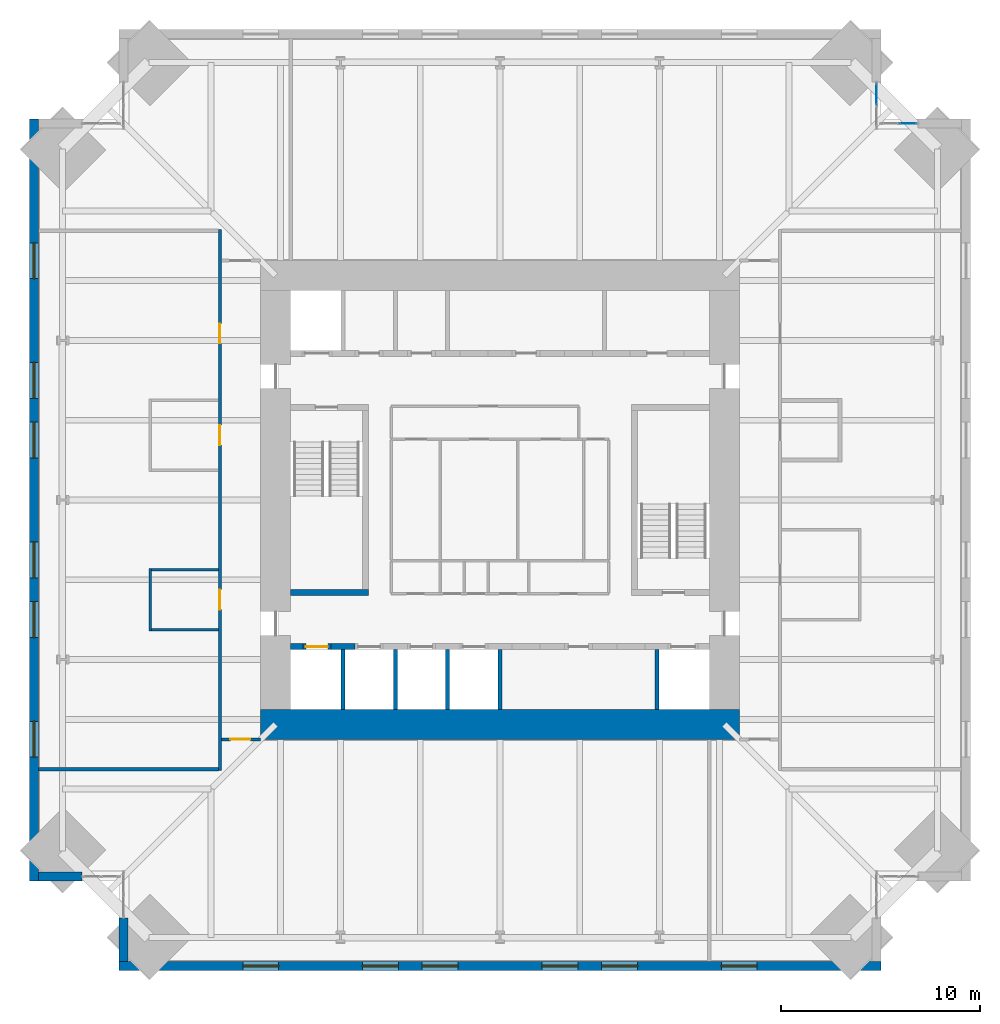
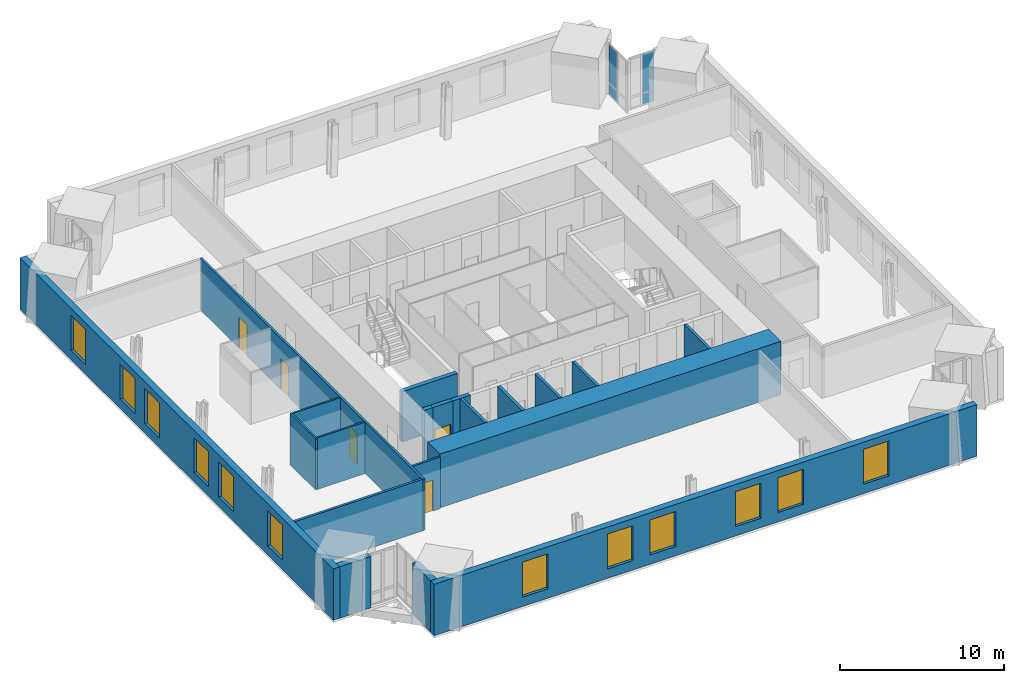
# One storey, part 10 of 14: 20 walls, 12 windows, 5 doors, 4 plates, 17 openings, 2 elements without a shape of their own.
"""IFC4 building model written with IfcOpenShell, lengths in metres."""

from ifc_helpers import new_model, si_unit, direction, frame, frame_2d, origin, origin_2d, place, context, subcontext, project, spatial, rectangle, extrude, material, layer, layer_set, type_object, element, fill, aggregate, save


model = new_model("IFC4")

# Units and contexts
model_context = context("Model", 3, precision=1e-05, world=origin(), true_north=direction((0.0, 1.0)))
body_context = subcontext(model_context, "Body", "Model", "MODEL_VIEW")
ifc_project = project(units=[si_unit("LENGTHUNIT", "METRE"), si_unit("AREAUNIT", "SQUARE_METRE"), si_unit("VOLUMEUNIT", "CUBIC_METRE"), si_unit("PLANEANGLEUNIT", "RADIAN"), si_unit("MASSUNIT", "GRAM", prefix="KILO")], contexts=[model_context])

# Site, building, storey
site_placement = place(None, origin())
site = spatial("IfcSite", under=ifc_project, at=site_placement, CompositionType="ELEMENT")
building_placement = place(site_placement, origin())
building = spatial("IfcBuilding", under=site, at=building_placement, Name="Peilmerk Tower", CompositionType="ELEMENT")
storey_placement = place(building_placement, frame((0.0, 0.0, 221.800048828125)))
storey = spatial("IfcBuildingStorey", under=building, at=storey_placement, Name="L48", CompositionType="ELEMENT", Elevation=221.800048828125)

# Curtain wall, plates
ifc_material_1 = material(Name="Aluminium stick curtain wall", Category="aluminium")
curtain_wall_type = type_object("IfcCurtainWallType", Name="CW4 stick curtain wall, 2250 module", PredefinedType="NOTDEFINED", material=ifc_material_1)
curtain_wall_1_placement = place(storey_placement, origin())
curtain_wall_1 = element("IfcCurtainWall", 1, at=curtain_wall_1_placement, inside=storey, type_object=curtain_wall_type, Name="Curtain wall CW4 NEA L48", PredefinedType="NOTDEFINED")
ifc_material_2 = material(Name="Clear insulated glazing unit", Category="glass")
ifc_layer_1 = layer(ifc_material_2, 0.028076171875)
ifc_layer_set_1 = layer_set([ifc_layer_1], Name="Clear insulated glazing unit")
plate_type = type_object("IfcPlateType", Name="CW4-P 28 glazed panel", PredefinedType="CURTAIN_PANEL", material=ifc_layer_set_1)
plate_1_placement = place(storey_placement, frame((18.875, 20.350341796875, 0.06494140625), z_axis=(0.0, 0.0, 1.0), x_axis=(0.0, 1.0, 0.0)))
plate_1 = element("IfcPlate", 2, at=plate_1_placement, type_object=plate_type, Name="CW4 panel 2.1", PredefinedType="CURTAIN_PANEL", context=body_context, shape_type="SweptSolid", body=[
    extrude(rectangle(XDim=1.046875, YDim=0.028076171875, at=origin_2d()), origin(), (0.0, 0.0, 1.0), 0.802490234375),
])
plate_2_placement = place(storey_placement, frame((18.875, 20.350341796875, 0.932373046875), z_axis=(0.0, 0.0, 1.0), x_axis=(0.0, 1.0, 0.0)))
plate_2 = element("IfcPlate", 3, at=plate_2_placement, type_object=plate_type, Name="CW4 panel 2.2", PredefinedType="CURTAIN_PANEL", context=body_context, shape_type="SweptSolid", body=[
    extrude(rectangle(XDim=1.046875, YDim=0.028076171875, at=origin_2d()), origin(), (0.0, 0.0, 1.0), 2.83251953125),
])
aggregate(curtain_wall_1, [plate_1, plate_2])

curtain_wall_2_placement = place(storey_placement, origin())
curtain_wall_2 = element("IfcCurtainWall", 4, at=curtain_wall_2_placement, inside=storey, type_object=curtain_wall_type, Name="Curtain wall CW4 NEB L48", PredefinedType="NOTDEFINED")
plate_3_placement = place(storey_placement, frame((20.462646484375, 18.875, 0.06494140625), z_axis=(0.0, 0.0, 1.0), x_axis=(1.0, 0.0, 0.0)))
plate_3 = element("IfcPlate", 5, at=plate_3_placement, type_object=plate_type, Name="CW4 panel 2.1", PredefinedType="CURTAIN_PANEL", context=body_context, shape_type="SweptSolid", body=[
    extrude(rectangle(XDim=0.82177734375, YDim=0.028076171875, at=origin_2d()), origin(), (0.0, 0.0, 1.0), 0.802490234375),
])
plate_4_placement = place(storey_placement, frame((20.462646484375, 18.875, 0.932373046875), z_axis=(0.0, 0.0, 1.0), x_axis=(1.0, 0.0, 0.0)))
plate_4 = element("IfcPlate", 6, at=plate_4_placement, type_object=plate_type, Name="CW4 panel 2.2", PredefinedType="CURTAIN_PANEL", context=body_context, shape_type="SweptSolid", body=[
    extrude(rectangle(XDim=0.82177734375, YDim=0.028076171875, at=origin_2d()), origin(), (0.0, 0.0, 1.0), 2.83251953125),
])
aggregate(curtain_wall_2, [plate_3, plate_4])

# Wall, openings, windows
ifc_material_3 = material(Name="Precast concrete C45/55, board-marked finish", Category="concrete")
ifc_layer_2 = layer(ifc_material_3, 0.449951171875)
ifc_layer_set_2 = layer_set([ifc_layer_2], Name="Precast concrete C45/55, board-marked finish")
wall_type_1 = type_object("IfcWallType", Name="EW1 450 precast concrete facade wall, board-marked", PredefinedType="SOLIDWALL", material=ifc_layer_set_2)
wall_1_placement = place(storey_placement, frame((-19.10009765625, -23.375, 0.0), z_axis=(0.0, 0.0, 1.0), x_axis=(1.0, 0.0, 0.0)))
wall_1 = element("IfcWall", 7, at=wall_1_placement, inside=storey, type_object=wall_type_1, Name="Facade wall S L48", PredefinedType="SOLIDWALL", context=body_context, shape_type="SweptSolid", body=[
    extrude(rectangle(XDim=38.2001953125, YDim=0.449951171875, at=frame_2d((19.10009765625, 0.0))), origin(), (0.0, 0.0, 1.0), 3.829833984375),
])
opening_1_placement = place(wall_1_placement, frame((6.199951171875, 0.0, 0.699951171875)))
opening_1 = element("IfcOpeningElement", 8, at=opening_1_placement, cuts=wall_1, Name="Opening W1", PredefinedType="OPENING", context=body_context, shape_type="SweptSolid", body=[
    extrude(rectangle(XDim=1.800048828125, YDim=2.60009765625, at=frame_2d((0.89990234375, 1.300048828125))), frame((0.0, 0.23486328125, 0.0), z_axis=(0.0, -1.0, 0.0), x_axis=(1.0, 0.0, 0.0)), (0.0, 0.0, 1.0), 0.469970703125),
])
opening_2_placement = place(wall_1_placement, frame((12.199951171875, 0.0, 0.699951171875)))
opening_2 = element("IfcOpeningElement", 9, at=opening_2_placement, cuts=wall_1, Name="Opening W1", PredefinedType="OPENING", context=body_context, shape_type="SweptSolid", body=[
    extrude(rectangle(XDim=1.800048828125, YDim=2.60009765625, at=frame_2d((0.89990234375, 1.300048828125))), frame((0.0, 0.23486328125, 0.0), z_axis=(0.0, -1.0, 0.0), x_axis=(1.0, 0.0, 0.0)), (0.0, 0.0, 1.0), 0.469970703125),
])
opening_3_placement = place(wall_1_placement, frame((15.199951171875, 0.0, 0.699951171875)))
opening_3 = element("IfcOpeningElement", 10, at=opening_3_placement, cuts=wall_1, Name="Opening W1", PredefinedType="OPENING", context=body_context, shape_type="SweptSolid", body=[
    extrude(rectangle(XDim=1.800048828125, YDim=2.60009765625, at=frame_2d((0.89990234375, 1.300048828125))), frame((0.0, 0.23486328125, 0.0), z_axis=(0.0, -1.0, 0.0), x_axis=(1.0, 0.0, 0.0)), (0.0, 0.0, 1.0), 0.469970703125),
])
opening_4_placement = place(wall_1_placement, frame((21.199951171875, 0.0, 0.699951171875)))
opening_4 = element("IfcOpeningElement", 11, at=opening_4_placement, cuts=wall_1, Name="Opening W1", PredefinedType="OPENING", context=body_context, shape_type="SweptSolid", body=[
    extrude(rectangle(XDim=1.800048828125, YDim=2.60009765625, at=frame_2d((0.89990234375, 1.300048828125))), frame((0.0, 0.23486328125, 0.0), z_axis=(0.0, -1.0, 0.0), x_axis=(1.0, 0.0, 0.0)), (0.0, 0.0, 1.0), 0.469970703125),
])
opening_5_placement = place(wall_1_placement, frame((24.199951171875, 0.0, 0.699951171875)))
opening_5 = element("IfcOpeningElement", 12, at=opening_5_placement, cuts=wall_1, Name="Opening W1", PredefinedType="OPENING", context=body_context, shape_type="SweptSolid", body=[
    extrude(rectangle(XDim=1.800048828125, YDim=2.60009765625, at=frame_2d((0.89990234375, 1.300048828125))), frame((0.0, 0.23486328125, 0.0), z_axis=(0.0, -1.0, 0.0), x_axis=(1.0, 0.0, 0.0)), (0.0, 0.0, 1.0), 0.469970703125),
])
opening_6_placement = place(wall_1_placement, frame((30.199951171875, 0.0, 0.699951171875)))
opening_6 = element("IfcOpeningElement", 13, at=opening_6_placement, cuts=wall_1, Name="Opening W1", PredefinedType="OPENING", context=body_context, shape_type="SweptSolid", body=[
    extrude(rectangle(XDim=1.800048828125, YDim=2.60009765625, at=frame_2d((0.89990234375, 1.300048828125))), frame((0.0, 0.23486328125, 0.0), z_axis=(0.0, -1.0, 0.0), x_axis=(1.0, 0.0, 0.0)), (0.0, 0.0, 1.0), 0.469970703125),
])
ifc_material_4 = material(Name="Aluminium frame, clear double glazing", Category="aluminium")
window_type = type_object("IfcWindowType", Name="W1 1800x2600 office window", PartitioningType="SINGLE_PANEL", PredefinedType="WINDOW", material=ifc_material_4)
window_1_placement = place(opening_1_placement, origin())
window_1 = element("IfcWindow", 14, at=window_1_placement, inside=storey, type_object=window_type, Name="Window W1 L48", OverallHeight=2.60009765625, OverallWidth=1.800048828125, PartitioningType="SINGLE_PANEL", PredefinedType="WINDOW", context=body_context, shape_type="SweptSolid", body=[
    extrude(rectangle(XDim=1.800048828125, YDim=2.60009765625, at=frame_2d((0.89990234375, 1.300048828125))), frame((0.0, 0.030029296875, 0.0), z_axis=(0.0, -1.0, 0.0), x_axis=(1.0, 0.0, 0.0)), (0.0, 0.0, 1.0), 0.06005859375),
])
fill(opening_1, window_1)
window_2_placement = place(opening_2_placement, origin())
window_2 = element("IfcWindow", 15, at=window_2_placement, inside=storey, type_object=window_type, Name="Window W1 L48", OverallHeight=2.60009765625, OverallWidth=1.800048828125, PartitioningType="SINGLE_PANEL", PredefinedType="WINDOW", context=body_context, shape_type="SweptSolid", body=[
    extrude(rectangle(XDim=1.800048828125, YDim=2.60009765625, at=frame_2d((0.89990234375, 1.300048828125))), frame((0.0, 0.030029296875, 0.0), z_axis=(0.0, -1.0, 0.0), x_axis=(1.0, 0.0, 0.0)), (0.0, 0.0, 1.0), 0.06005859375),
])
fill(opening_2, window_2)
window_3_placement = place(opening_3_placement, origin())
window_3 = element("IfcWindow", 16, at=window_3_placement, inside=storey, type_object=window_type, Name="Window W1 L48", OverallHeight=2.60009765625, OverallWidth=1.800048828125, PartitioningType="SINGLE_PANEL", PredefinedType="WINDOW", context=body_context, shape_type="SweptSolid", body=[
    extrude(rectangle(XDim=1.800048828125, YDim=2.60009765625, at=frame_2d((0.89990234375, 1.300048828125))), frame((0.0, 0.030029296875, 0.0), z_axis=(0.0, -1.0, 0.0), x_axis=(1.0, 0.0, 0.0)), (0.0, 0.0, 1.0), 0.06005859375),
])
fill(opening_3, window_3)
window_4_placement = place(opening_4_placement, origin())
window_4 = element("IfcWindow", 17, at=window_4_placement, inside=storey, type_object=window_type, Name="Window W1 L48", OverallHeight=2.60009765625, OverallWidth=1.800048828125, PartitioningType="SINGLE_PANEL", PredefinedType="WINDOW", context=body_context, shape_type="SweptSolid", body=[
    extrude(rectangle(XDim=1.800048828125, YDim=2.60009765625, at=frame_2d((0.89990234375, 1.300048828125))), frame((0.0, 0.030029296875, 0.0), z_axis=(0.0, -1.0, 0.0), x_axis=(1.0, 0.0, 0.0)), (0.0, 0.0, 1.0), 0.06005859375),
])
fill(opening_4, window_4)
window_5_placement = place(opening_5_placement, origin())
window_5 = element("IfcWindow", 18, at=window_5_placement, inside=storey, type_object=window_type, Name="Window W1 L48", OverallHeight=2.60009765625, OverallWidth=1.800048828125, PartitioningType="SINGLE_PANEL", PredefinedType="WINDOW", context=body_context, shape_type="SweptSolid", body=[
    extrude(rectangle(XDim=1.800048828125, YDim=2.60009765625, at=frame_2d((0.89990234375, 1.300048828125))), frame((0.0, 0.030029296875, 0.0), z_axis=(0.0, -1.0, 0.0), x_axis=(1.0, 0.0, 0.0)), (0.0, 0.0, 1.0), 0.06005859375),
])
fill(opening_5, window_5)
window_6_placement = place(opening_6_placement, origin())
window_6 = element("IfcWindow", 19, at=window_6_placement, inside=storey, type_object=window_type, Name="Window W1 L48", OverallHeight=2.60009765625, OverallWidth=1.800048828125, PartitioningType="SINGLE_PANEL", PredefinedType="WINDOW", context=body_context, shape_type="SweptSolid", body=[
    extrude(rectangle(XDim=1.800048828125, YDim=2.60009765625, at=frame_2d((0.89990234375, 1.300048828125))), frame((0.0, 0.030029296875, 0.0), z_axis=(0.0, -1.0, 0.0), x_axis=(1.0, 0.0, 0.0)), (0.0, 0.0, 1.0), 0.06005859375),
])
fill(opening_6, window_6)

wall_2_placement = place(storey_placement, frame((-23.375, 19.10009765625, 0.0), z_axis=(0.0, 0.0, 1.0), x_axis=(0.0, -1.0, 0.0)))
wall_2 = element("IfcWall", 20, at=wall_2_placement, inside=storey, type_object=wall_type_1, Name="Facade wall W L48", PredefinedType="SOLIDWALL", context=body_context, shape_type="SweptSolid", body=[
    extrude(rectangle(XDim=38.2001953125, YDim=0.449951171875, at=frame_2d((19.10009765625, 0.0))), origin(), (0.0, 0.0, 1.0), 3.829833984375),
])
opening_7_placement = place(wall_2_placement, frame((6.199951171875, 0.0, 0.699951171875)))
opening_7 = element("IfcOpeningElement", 21, at=opening_7_placement, cuts=wall_2, Name="Opening W1", PredefinedType="OPENING", context=body_context, shape_type="SweptSolid", body=[
    extrude(rectangle(XDim=1.800048828125, YDim=2.60009765625, at=frame_2d((0.89990234375, 1.300048828125))), frame((0.0, 0.23486328125, 0.0), z_axis=(0.0, -1.0, 0.0), x_axis=(1.0, 0.0, 0.0)), (0.0, 0.0, 1.0), 0.469970703125),
])
opening_8_placement = place(wall_2_placement, frame((12.199951171875, 0.0, 0.699951171875)))
opening_8 = element("IfcOpeningElement", 22, at=opening_8_placement, cuts=wall_2, Name="Opening W1", PredefinedType="OPENING", context=body_context, shape_type="SweptSolid", body=[
    extrude(rectangle(XDim=1.800048828125, YDim=2.60009765625, at=frame_2d((0.89990234375, 1.300048828125))), frame((0.0, 0.23486328125, 0.0), z_axis=(0.0, -1.0, 0.0), x_axis=(1.0, 0.0, 0.0)), (0.0, 0.0, 1.0), 0.469970703125),
])
opening_9_placement = place(wall_2_placement, frame((15.199951171875, 0.0, 0.699951171875)))
opening_9 = element("IfcOpeningElement", 23, at=opening_9_placement, cuts=wall_2, Name="Opening W1", PredefinedType="OPENING", context=body_context, shape_type="SweptSolid", body=[
    extrude(rectangle(XDim=1.800048828125, YDim=2.60009765625, at=frame_2d((0.89990234375, 1.300048828125))), frame((0.0, 0.23486328125, 0.0), z_axis=(0.0, -1.0, 0.0), x_axis=(1.0, 0.0, 0.0)), (0.0, 0.0, 1.0), 0.469970703125),
])
opening_10_placement = place(wall_2_placement, frame((21.199951171875, 0.0, 0.699951171875)))
opening_10 = element("IfcOpeningElement", 24, at=opening_10_placement, cuts=wall_2, Name="Opening W1", PredefinedType="OPENING", context=body_context, shape_type="SweptSolid", body=[
    extrude(rectangle(XDim=1.800048828125, YDim=2.60009765625, at=frame_2d((0.89990234375, 1.300048828125))), frame((0.0, 0.23486328125, 0.0), z_axis=(0.0, -1.0, 0.0), x_axis=(1.0, 0.0, 0.0)), (0.0, 0.0, 1.0), 0.469970703125),
])
opening_11_placement = place(wall_2_placement, frame((24.199951171875, 0.0, 0.699951171875)))
opening_11 = element("IfcOpeningElement", 25, at=opening_11_placement, cuts=wall_2, Name="Opening W1", PredefinedType="OPENING", context=body_context, shape_type="SweptSolid", body=[
    extrude(rectangle(XDim=1.800048828125, YDim=2.60009765625, at=frame_2d((0.89990234375, 1.300048828125))), frame((0.0, 0.23486328125, 0.0), z_axis=(0.0, -1.0, 0.0), x_axis=(1.0, 0.0, 0.0)), (0.0, 0.0, 1.0), 0.469970703125),
])
opening_12_placement = place(wall_2_placement, frame((30.199951171875, 0.0, 0.699951171875)))
opening_12 = element("IfcOpeningElement", 26, at=opening_12_placement, cuts=wall_2, Name="Opening W1", PredefinedType="OPENING", context=body_context, shape_type="SweptSolid", body=[
    extrude(rectangle(XDim=1.800048828125, YDim=2.60009765625, at=frame_2d((0.89990234375, 1.300048828125))), frame((0.0, 0.23486328125, 0.0), z_axis=(0.0, -1.0, 0.0), x_axis=(1.0, 0.0, 0.0)), (0.0, 0.0, 1.0), 0.469970703125),
])
window_7_placement = place(opening_7_placement, origin())
window_7 = element("IfcWindow", 27, at=window_7_placement, inside=storey, type_object=window_type, Name="Window W1 L48", OverallHeight=2.60009765625, OverallWidth=1.800048828125, PartitioningType="SINGLE_PANEL", PredefinedType="WINDOW", context=body_context, shape_type="SweptSolid", body=[
    extrude(rectangle(XDim=1.800048828125, YDim=2.60009765625, at=frame_2d((0.89990234375, 1.300048828125))), frame((0.0, 0.030029296875, 0.0), z_axis=(0.0, -1.0, 0.0), x_axis=(1.0, 0.0, 0.0)), (0.0, 0.0, 1.0), 0.06005859375),
])
fill(opening_7, window_7)
window_8_placement = place(opening_8_placement, origin())
window_8 = element("IfcWindow", 28, at=window_8_placement, inside=storey, type_object=window_type, Name="Window W1 L48", OverallHeight=2.60009765625, OverallWidth=1.800048828125, PartitioningType="SINGLE_PANEL", PredefinedType="WINDOW", context=body_context, shape_type="SweptSolid", body=[
    extrude(rectangle(XDim=1.800048828125, YDim=2.60009765625, at=frame_2d((0.89990234375, 1.300048828125))), frame((0.0, 0.030029296875, 0.0), z_axis=(0.0, -1.0, 0.0), x_axis=(1.0, 0.0, 0.0)), (0.0, 0.0, 1.0), 0.06005859375),
])
fill(opening_8, window_8)
window_9_placement = place(opening_9_placement, origin())
window_9 = element("IfcWindow", 29, at=window_9_placement, inside=storey, type_object=window_type, Name="Window W1 L48", OverallHeight=2.60009765625, OverallWidth=1.800048828125, PartitioningType="SINGLE_PANEL", PredefinedType="WINDOW", context=body_context, shape_type="SweptSolid", body=[
    extrude(rectangle(XDim=1.800048828125, YDim=2.60009765625, at=frame_2d((0.89990234375, 1.300048828125))), frame((0.0, 0.030029296875, 0.0), z_axis=(0.0, -1.0, 0.0), x_axis=(1.0, 0.0, 0.0)), (0.0, 0.0, 1.0), 0.06005859375),
])
fill(opening_9, window_9)
window_10_placement = place(opening_10_placement, origin())
window_10 = element("IfcWindow", 30, at=window_10_placement, inside=storey, type_object=window_type, Name="Window W1 L48", OverallHeight=2.60009765625, OverallWidth=1.800048828125, PartitioningType="SINGLE_PANEL", PredefinedType="WINDOW", context=body_context, shape_type="SweptSolid", body=[
    extrude(rectangle(XDim=1.800048828125, YDim=2.60009765625, at=frame_2d((0.89990234375, 1.300048828125))), frame((0.0, 0.030029296875, 0.0), z_axis=(0.0, -1.0, 0.0), x_axis=(1.0, 0.0, 0.0)), (0.0, 0.0, 1.0), 0.06005859375),
])
fill(opening_10, window_10)
window_11_placement = place(opening_11_placement, origin())
window_11 = element("IfcWindow", 31, at=window_11_placement, inside=storey, type_object=window_type, Name="Window W1 L48", OverallHeight=2.60009765625, OverallWidth=1.800048828125, PartitioningType="SINGLE_PANEL", PredefinedType="WINDOW", context=body_context, shape_type="SweptSolid", body=[
    extrude(rectangle(XDim=1.800048828125, YDim=2.60009765625, at=frame_2d((0.89990234375, 1.300048828125))), frame((0.0, 0.030029296875, 0.0), z_axis=(0.0, -1.0, 0.0), x_axis=(1.0, 0.0, 0.0)), (0.0, 0.0, 1.0), 0.06005859375),
])
fill(opening_11, window_11)
window_12_placement = place(opening_12_placement, origin())
window_12 = element("IfcWindow", 32, at=window_12_placement, inside=storey, type_object=window_type, Name="Window W1 L48", OverallHeight=2.60009765625, OverallWidth=1.800048828125, PartitioningType="SINGLE_PANEL", PredefinedType="WINDOW", context=body_context, shape_type="SweptSolid", body=[
    extrude(rectangle(XDim=1.800048828125, YDim=2.60009765625, at=frame_2d((0.89990234375, 1.300048828125))), frame((0.0, 0.030029296875, 0.0), z_axis=(0.0, -1.0, 0.0), x_axis=(1.0, 0.0, 0.0)), (0.0, 0.0, 1.0), 0.06005859375),
])
fill(opening_12, window_12)

# Walls
for number, where, z_axis, x_axis, name in (
    (33, (-18.875, -20.95361328125, 0.0), (0.0, 0.0, 1.0), (0.0, -1.0, 0.0), "Facade wall SWA L48"),
    (34, (-20.95361328125, -18.875, 0.0), (0.0, 0.0, 1.0), (-1.0, 0.0, 0.0), "Facade wall SWB L48"),
):
    element("IfcWall", number, at=place(storey_placement, frame(where, z_axis=z_axis, x_axis=x_axis)), inside=storey, type_object=wall_type_1, Name=name, PredefinedType="SOLIDWALL", context=body_context, shape_type="SweptSolid", body=[
        extrude(rectangle(XDim=2.1962890625, YDim=0.449951171875, at=frame_2d((1.09814453125, 0.0))), origin(), (0.0, 0.0, 1.0), 3.829833984375),
    ])

# Wall, openings, doors
ifc_material_5 = material(Name="Calcium silicate block", Category="masonry")
ifc_layer_3 = layer(ifc_material_5, 0.14990234375)
ifc_layer_set_3 = layer_set([ifc_layer_3], Name="Calcium silicate block")
wall_type_2 = type_object("IfcWallType", Name="IW1 150 corridor partition, EI 60", PredefinedType="PARTITIONING", material=ifc_layer_set_3)
wall_3_placement = place(storey_placement, frame((-14.050048828125, 13.574951171875, 0.0), z_axis=(0.0, 0.0, 1.0), x_axis=(0.0, -1.0, 0.0)))
wall_3 = element("IfcWall", 35, at=wall_3_placement, inside=storey, type_object=wall_type_2, Name="Corridor wall W L48", PredefinedType="PARTITIONING", context=body_context, shape_type="SweptSolid", body=[
    extrude(rectangle(XDim=27.14990234375, YDim=0.14990234375, at=frame_2d((13.574951171875, 0.0))), origin(), (0.0, 0.0, 1.0), 3.829833984375),
])
opening_13_placement = place(wall_3_placement, frame((4.72509765625, 0.0, 0.0)))
opening_13 = element("IfcOpeningElement", 36, at=opening_13_placement, cuts=wall_3, Name="Opening D1", PredefinedType="OPENING", context=body_context, shape_type="SweptSolid", body=[
    extrude(rectangle(XDim=1.0, YDim=2.300048828125, at=frame_2d((0.5, 1.14990234375))), frame((0.0, 0.0849609375, 0.0), z_axis=(0.0, -1.0, 0.0), x_axis=(1.0, 0.0, 0.0)), (0.0, 0.0, 1.0), 0.169921875),
])
opening_14_placement = place(wall_3_placement, frame((9.824951171875, 0.0, 0.0)))
opening_14 = element("IfcOpeningElement", 37, at=opening_14_placement, cuts=wall_3, Name="Opening D1", PredefinedType="OPENING", context=body_context, shape_type="SweptSolid", body=[
    extrude(rectangle(XDim=1.0, YDim=2.300048828125, at=frame_2d((0.5, 1.14990234375))), frame((0.0, 0.0849609375, 0.0), z_axis=(0.0, -1.0, 0.0), x_axis=(1.0, 0.0, 0.0)), (0.0, 0.0, 1.0), 0.169921875),
])
opening_15_placement = place(wall_3_placement, frame((18.074951171875, 0.0, 0.0)))
opening_15 = element("IfcOpeningElement", 38, at=opening_15_placement, cuts=wall_3, Name="Opening D1", PredefinedType="OPENING", context=body_context, shape_type="SweptSolid", body=[
    extrude(rectangle(XDim=1.0, YDim=2.300048828125, at=frame_2d((0.5, 1.14990234375))), frame((0.0, 0.0849609375, 0.0), z_axis=(0.0, -1.0, 0.0), x_axis=(1.0, 0.0, 0.0)), (0.0, 0.0, 1.0), 0.169921875),
])
ifc_material_6 = material(Name="Timber door in steel frame", Category="steel")
door_type_1 = type_object("IfcDoorType", Name="D1 1000x2300 room door, EI2 30", OperationType="SINGLE_SWING_LEFT", PredefinedType="DOOR", material=ifc_material_6)
door_1_placement = place(opening_13_placement, frame((1.0, 0.0, 0.0), z_axis=(0.0, 0.0, 1.0), x_axis=(-1.0, 0.0, 0.0)))
door_1 = element("IfcDoor", 39, at=door_1_placement, inside=storey, type_object=door_type_1, Name="Door Office L48", OperationType="SINGLE_SWING_LEFT", OverallHeight=2.300048828125, OverallWidth=1.0, PredefinedType="DOOR", context=body_context, shape_type="SweptSolid", body=[
    extrude(rectangle(XDim=1.0, YDim=2.300048828125, at=frame_2d((0.5, 1.14990234375))), frame((0.0, 0.02490234375, 0.0), z_axis=(0.0, -1.0, 0.0), x_axis=(1.0, 0.0, 0.0)), (0.0, 0.0, 1.0), 0.050048828125),
])
fill(opening_13, door_1)
door_2_placement = place(opening_14_placement, frame((1.0, 0.0, 0.0), z_axis=(0.0, 0.0, 1.0), x_axis=(-1.0, 0.0, 0.0)))
door_2 = element("IfcDoor", 40, at=door_2_placement, inside=storey, type_object=door_type_1, Name="Door Pantry L48", OperationType="SINGLE_SWING_LEFT", OverallHeight=2.300048828125, OverallWidth=1.0, PredefinedType="DOOR", context=body_context, shape_type="SweptSolid", body=[
    extrude(rectangle(XDim=1.0, YDim=2.300048828125, at=frame_2d((0.5, 1.14990234375))), frame((0.0, 0.02490234375, 0.0), z_axis=(0.0, -1.0, 0.0), x_axis=(1.0, 0.0, 0.0)), (0.0, 0.0, 1.0), 0.050048828125),
])
fill(opening_14, door_2)
door_3_placement = place(opening_15_placement, frame((1.0, 0.0, 0.0), z_axis=(0.0, 0.0, 1.0), x_axis=(-1.0, 0.0, 0.0)))
door_3 = element("IfcDoor", 41, at=door_3_placement, inside=storey, type_object=door_type_1, Name="Door Focus room L48", OperationType="SINGLE_SWING_LEFT", OverallHeight=2.300048828125, OverallWidth=1.0, PredefinedType="DOOR", context=body_context, shape_type="SweptSolid", body=[
    extrude(rectangle(XDim=1.0, YDim=2.300048828125, at=frame_2d((0.5, 1.14990234375))), frame((0.0, 0.02490234375, 0.0), z_axis=(0.0, -1.0, 0.0), x_axis=(1.0, 0.0, 0.0)), (0.0, 0.0, 1.0), 0.050048828125),
])
fill(opening_15, door_3)

# Wall, opening, door
wall_4_placement = place(storey_placement, frame((-12.0, -12.0, 0.0), z_axis=(0.0, 0.0, 1.0), x_axis=(-1.0, 0.0, 0.0)))
wall_4 = element("IfcWall", 42, at=wall_4_placement, inside=storey, type_object=wall_type_2, Name="Corridor wall SW L48", PredefinedType="PARTITIONING", context=body_context, shape_type="SweptSolid", body=[
    extrude(rectangle(XDim=1.97509765625, YDim=0.14990234375, at=frame_2d((0.987548828125, 0.0))), origin(), (0.0, 0.0, 1.0), 3.829833984375),
])
opening_16_placement = place(wall_4_placement, frame((0.52490234375, 0.0, 0.0)))
opening_16 = element("IfcOpeningElement", 43, at=opening_16_placement, cuts=wall_4, Name="Opening D1", PredefinedType="OPENING", context=body_context, shape_type="SweptSolid", body=[
    extrude(rectangle(XDim=1.0, YDim=2.300048828125, at=frame_2d((0.5, 1.14990234375))), frame((0.0, 0.0849609375, 0.0), z_axis=(0.0, -1.0, 0.0), x_axis=(1.0, 0.0, 0.0)), (0.0, 0.0, 1.0), 0.169921875),
])
door_4_placement = place(opening_16_placement, origin())
door_4 = element("IfcDoor", 44, at=door_4_placement, inside=storey, type_object=door_type_1, Name="Door Tenant suite L48", OperationType="SINGLE_SWING_LEFT", OverallHeight=2.300048828125, OverallWidth=1.0, PredefinedType="DOOR", context=body_context, shape_type="SweptSolid", body=[
    extrude(rectangle(XDim=1.0, YDim=2.300048828125, at=frame_2d((0.5, 1.14990234375))), frame((0.0, 0.02490234375, 0.0), z_axis=(0.0, -1.0, 0.0), x_axis=(1.0, 0.0, 0.0)), (0.0, 0.0, 1.0), 0.050048828125),
])
fill(opening_16, door_4)

# Walls
ifc_material_7 = material(Name="Concrete C35/45", Category="concrete")
ifc_layer_4 = layer(ifc_material_7, 0.300048828125)
ifc_layer_set_4 = layer_set([ifc_layer_4], Name="Concrete C35/45")
wall_type_3 = type_object("IfcWallType", Name="IW3 300 concrete stair enclosure wall, EI 120", PredefinedType="SOLIDWALL", material=ifc_layer_set_4)
wall_5_placement = place(storey_placement, frame((-6.60009765625, -4.64990234375, 0.0), z_axis=(0.0, 0.0, 1.0), x_axis=(-1.0, 0.0, 0.0)))
element("IfcWall", 45, at=wall_5_placement, inside=storey, type_object=wall_type_3, Name="Stair 1 enclosure L48", PredefinedType="SOLIDWALL", context=body_context, shape_type="SweptSolid", body=[
    extrude(rectangle(XDim=3.89990234375, YDim=0.300048828125, at=frame_2d((1.949951171875, 0.0))), origin(), (0.0, 0.0, 1.0), 3.75),
])
ifc_material_8 = material(Name="Plasterboard on steel studs, double boarded with mineral wool", Category="steel")
ifc_layer_5 = layer(ifc_material_8, 0.125)
ifc_layer_set_5 = layer_set([ifc_layer_5], Name="Plasterboard on steel studs, double boarded with mineral wool")
wall_type_4 = type_object("IfcWallType", Name="IW7 125 acoustic partition, EI 30", PredefinedType="PARTITIONING", material=ifc_layer_set_5)
wall_6_placement = place(storey_placement, frame((-17.550048828125, -6.5625, 0.0), z_axis=(0.0, 0.0, 1.0), x_axis=(0.0, 1.0, 0.0)))
element("IfcWall", 46, at=wall_6_placement, inside=storey, type_object=wall_type_4, Name="Acoustic partition Focus room L48", PredefinedType="PARTITIONING", context=body_context, shape_type="SweptSolid", body=[
    extrude(rectangle(XDim=3.125, YDim=0.125, at=frame_2d((1.5625, 0.0))), origin(), (0.0, 0.0, 1.0), 3.829833984375),
])
for number, where, z_axis, x_axis, name in (
    (47, (-14.125, -6.5, 0.0), (0.0, 0.0, 1.0), (-1.0, 0.0, 0.0), "Acoustic partition Focus room L48"),
    (48, (-14.125, -3.5, 0.0), (0.0, 0.0, 1.0), (-1.0, 0.0, 0.0), "Acoustic partition Focus room L48"),
):
    element("IfcWall", number, at=place(storey_placement, frame(where, z_axis=z_axis, x_axis=x_axis)), inside=storey, type_object=wall_type_4, Name=name, PredefinedType="PARTITIONING", context=body_context, shape_type="SweptSolid", body=[
        extrude(rectangle(XDim=3.362548828125, YDim=0.125, at=frame_2d((1.68115234375, 0.0))), origin(), (0.0, 0.0, 1.0), 3.829833984375),
    ])
ifc_layer_6 = layer(ifc_material_5, 0.175048828125)
ifc_layer_set_6 = layer_set([ifc_layer_6], Name="Calcium silicate block")
wall_type_5 = type_object("IfcWallType", Name="IW8 175 tenant separating wall, EI 60", PredefinedType="PARTITIONING", material=ifc_layer_set_6)
wall_7_placement = place(storey_placement, frame((-14.125, -13.5, 0.0), z_axis=(0.0, 0.0, 1.0), x_axis=(-1.0, 0.0, 0.0)))
element("IfcWall", 49, at=wall_7_placement, inside=storey, type_object=wall_type_5, Name="Tenant separating wall SW L48", PredefinedType="PARTITIONING", context=body_context, shape_type="SweptSolid", body=[
    extrude(rectangle(XDim=9.02490234375, YDim=0.175048828125, at=frame_2d((4.512451171875, 0.0))), origin(), (0.0, 0.0, 1.0), 3.829833984375),
])
ifc_layer_7 = layer(ifc_material_5, 0.199951171875)
ifc_layer_set_7 = layer_set([ifc_layer_7], Name="Calcium silicate block")
wall_type_6 = type_object("IfcWallType", Name="SH1 200 shaft dividing wall, EI 120", PredefinedType="PARTITIONING", material=ifc_layer_set_7)
for number, where, z_axis, x_axis, name in (
    (50, (-7.875, -10.5, 0.0), (0.0, 0.0, 1.0), (0.0, 1.0, 0.0), "Shaft wall S C4 L48"),
    (51, (-5.25, -10.5, 0.0), (0.0, 0.0, 1.0), (0.0, 1.0, 0.0), "Shaft wall S C3 L48"),
    (52, (-2.625, -10.5, 0.0), (0.0, 0.0, 1.0), (0.0, 1.0, 0.0), "Shaft wall S C2 L48"),
    (53, (0.0, -10.5, 0.0), (0.0, 0.0, 1.0), (0.0, 1.0, 0.0), "Shaft wall S C1 L48"),
    (54, (7.875, -10.5, 0.0), (0.0, 0.0, 1.0), (0.0, 1.0, 0.0), "Shaft wall S B1 L48"),
):
    element("IfcWall", number, at=place(storey_placement, frame(where, z_axis=z_axis, x_axis=x_axis)), inside=storey, type_object=wall_type_6, Name=name, PredefinedType="PARTITIONING", context=body_context, shape_type="SweptSolid", body=[
        extrude(rectangle(XDim=3.0, YDim=0.199951171875, at=frame_2d((1.5, 0.0))), origin(), (0.0, 0.0, 1.0), 4.0),
    ])

# Wall, opening, door
ifc_layer_8 = layer(ifc_material_5, 0.300048828125)
ifc_layer_set_8 = layer_set([ifc_layer_8], Name="Calcium silicate block")
wall_type_7 = type_object("IfcWallType", Name="SH2 300 lift landing door panel, EI 120", PredefinedType="PARTITIONING", material=ifc_layer_set_8)
wall_8_placement = place(storey_placement, frame((-9.887451171875, -7.35009765625, 0.0), z_axis=(0.0, 0.0, 1.0), x_axis=(1.0, 0.0, 0.0)))
wall_8 = element("IfcWall", 55, at=wall_8_placement, inside=storey, type_object=wall_type_7, Name="Lift door panel S C4 L48", PredefinedType="PARTITIONING", context=body_context, shape_type="SweptSolid", body=[
    extrude(rectangle(XDim=1.39990234375, YDim=0.300048828125, at=frame_2d((0.699951171875, 0.0))), origin(), (0.0, 0.0, 1.0), 4.0),
])
opening_17_placement = place(wall_8_placement, frame((0.14990234375, 0.0, 0.0)))
opening_17 = element("IfcOpeningElement", 56, at=opening_17_placement, cuts=wall_8, Name="Opening LD1", PredefinedType="OPENING", context=body_context, shape_type="SweptSolid", body=[
    extrude(rectangle(XDim=1.10009765625, YDim=2.300048828125, at=frame_2d((0.550048828125, 1.14990234375))), frame((0.0, 0.159912109375, 0.0), z_axis=(0.0, -1.0, 0.0), x_axis=(1.0, 0.0, 0.0)), (0.0, 0.0, 1.0), 0.320068359375),
])
ifc_material_9 = material(Name="Stainless steel landing door", Category="steel")
door_type_2 = type_object("IfcDoorType", Name="LD1 1100x2300 lift landing door, sliding, EI2 60", OperationType="SLIDING_TO_LEFT", PredefinedType="DOOR", material=ifc_material_9)
door_5_placement = place(opening_17_placement, origin())
door_5 = element("IfcDoor", 57, at=door_5_placement, inside=storey, type_object=door_type_2, Name="Lift landing door C4 L48", OperationType="SLIDING_TO_LEFT", OverallHeight=2.300048828125, OverallWidth=1.10009765625, PredefinedType="DOOR", context=body_context, shape_type="SweptSolid", body=[
    extrude(rectangle(XDim=1.10009765625, YDim=2.300048828125, at=frame_2d((0.550048828125, 1.14990234375))), frame((0.0, 0.02490234375, 0.0), z_axis=(0.0, -1.0, 0.0), x_axis=(1.0, 0.0, 0.0)), (0.0, 0.0, 1.0), 0.050048828125),
])
fill(opening_17, door_5)

# Walls
ifc_material_10 = material(Name="Concrete C55/67", Category="concrete")
ifc_layer_9 = layer(ifc_material_10, 1.5)
ifc_layer_set_9 = layer_set([ifc_layer_9], Name="Concrete C55/67")
wall_type_8 = type_object("IfcWallType", Name="SW1 1500 core wall", PredefinedType="SHEAR", material=ifc_layer_set_9)
wall_9_placement = place(storey_placement, frame((12.0, -11.25, 0.0), z_axis=(0.0, 0.0, 1.0), x_axis=(-1.0, 0.0, 0.0)))
element("IfcWall", 58, at=wall_9_placement, inside=storey, type_object=wall_type_8, Name="Core wall S L48", PredefinedType="SHEAR", context=body_context, shape_type="SweptSolid", body=[
    extrude(rectangle(XDim=24.0, YDim=1.5, at=frame_2d((12.0, 0.0))), origin(), (0.0, 0.0, 1.0), 4.0),
])
ifc_layer_10 = layer(ifc_material_10, 0.300048828125)
ifc_layer_set_10 = layer_set([ifc_layer_10], Name="Concrete C55/67")
wall_type_9 = type_object("IfcWallType", Name="SW2 300 lift bank pier", PredefinedType="SHEAR", material=ifc_layer_set_10)
wall_10_placement = place(storey_placement, frame((-10.5, -7.35009765625, 0.0), z_axis=(0.0, 0.0, 1.0), x_axis=(1.0, 0.0, 0.0)))
element("IfcWall", 59, at=wall_10_placement, inside=storey, type_object=wall_type_9, Name="Lift bank pier S L48", PredefinedType="SHEAR", context=body_context, shape_type="SweptSolid", body=[
    extrude(rectangle(XDim=0.612548828125, YDim=0.300048828125, at=frame_2d((0.30615234375, 0.0))), origin(), (0.0, 0.0, 1.0), 4.0),
])
wall_11_placement = place(storey_placement, frame((-8.487548828125, -7.35009765625, 0.0), z_axis=(0.0, 0.0, 1.0), x_axis=(1.0, 0.0, 0.0)))
element("IfcWall", 60, at=wall_11_placement, inside=storey, type_object=wall_type_9, Name="Lift bank pier S L48", PredefinedType="SHEAR", context=body_context, shape_type="SweptSolid", body=[
    extrude(rectangle(XDim=1.22509765625, YDim=0.300048828125, at=frame_2d((0.612548828125, 0.0))), origin(), (0.0, 0.0, 1.0), 4.0),
])

save(model, "model.ifc")
